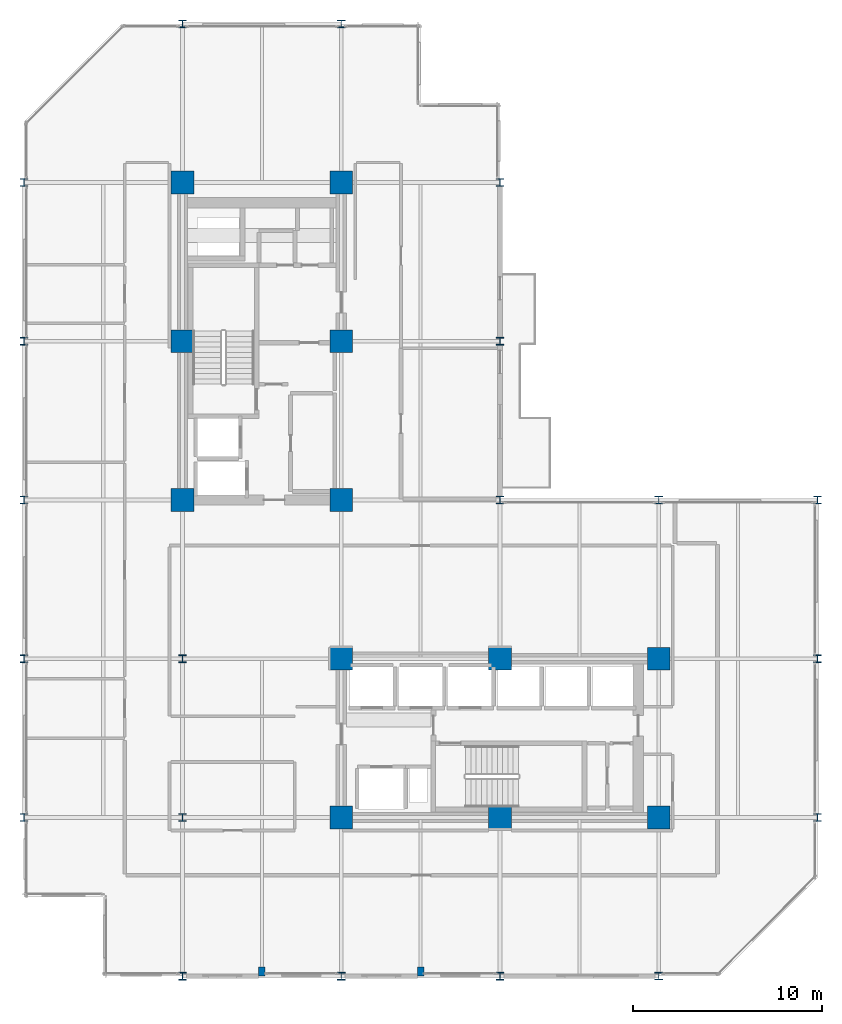
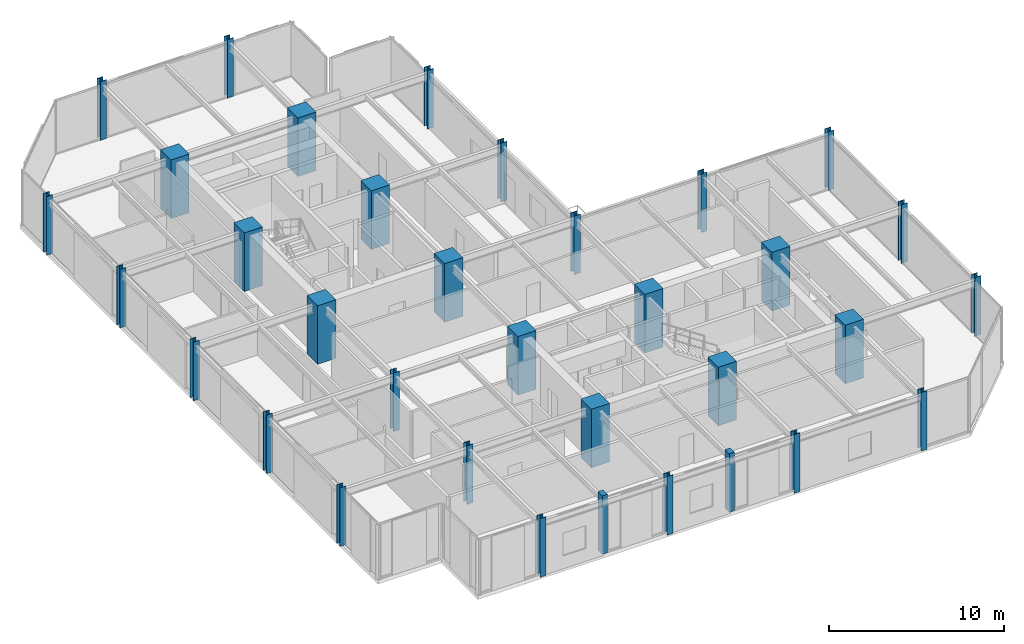
# One storey, part 1 of 29: 34 columns.
"""IFC4 building model written with IfcOpenShell, lengths in metres."""

from ifc_helpers import new_model, si_unit, direction, frame, origin, origin_2d, place, context, subcontext, project, spatial, rectangle, i_section, extrude, material, material_profile, profile_set, type_object, element, save


model = new_model("IFC4")

# Units and contexts
model_context = context("Model", 3, precision=1e-05, world=origin(), true_north=direction((0.0, 1.0)))
body_context = subcontext(model_context, "Body", "Model", "MODEL_VIEW")
ifc_project = project(units=[si_unit("LENGTHUNIT", "METRE"), si_unit("AREAUNIT", "SQUARE_METRE"), si_unit("VOLUMEUNIT", "CUBIC_METRE"), si_unit("PLANEANGLEUNIT", "RADIAN"), si_unit("MASSUNIT", "GRAM", prefix="KILO")], contexts=[model_context])

# Site, building, storey
site_placement = place(None, origin())
site = spatial("IfcSite", under=ifc_project, at=site_placement, CompositionType="ELEMENT")
building_placement = place(site_placement, origin())
building = spatial("IfcBuilding", under=site, at=building_placement, Name="Nerrivon Quay Data Exchange", CompositionType="ELEMENT")
storey_placement = place(building_placement, frame((0.0, 0.0, 133.60009765625)))
storey = spatial("IfcBuildingStorey", under=building, at=storey_placement, Name="L31", CompositionType="ELEMENT", Elevation=133.60009765625)

# Columns
ifc_material_1 = material(Name="Concrete S65 (65 MPa)", Category="concrete")
ifc_material_profile_1 = material_profile(ifc_material_1, rectangle(XDim=1.199951171875, YDim=1.199951171875, at=origin_2d()), Name="RC-COL-1200x1200")
ifc_profile_set_1 = profile_set([ifc_material_profile_1], Name="Concrete S65 (65 MPa)")
column_type_1 = type_object("IfcColumnType", Name="COL-C3-1200", PredefinedType="COLUMN", material=ifc_profile_set_1)
for number, where, z_axis, x_axis, name in (
    (1, (8.39990234375, 25.199951171875, 0.0), (0.0, 0.0, 1.0), (1.0, 0.0, 0.0), "L31 Column (8.4,25.2)"),
    (2, (8.39990234375, 33.60009765625, 0.0), (0.0, 0.0, 1.0), (1.0, 0.0, 0.0), "L31 Column (8.4,33.6)"),
    (3, (8.39990234375, 42.0, 0.0), (0.0, 0.0, 1.0), (1.0, 0.0, 0.0), "L31 Column (8.4,42.0)"),
    (4, (16.800048828125, 8.39990234375, 0.0), (0.0, 0.0, 1.0), (1.0, 0.0, 0.0), "L31 Column (16.8,8.4)"),
    (5, (16.800048828125, 16.800048828125, 0.0), (0.0, 0.0, 1.0), (1.0, 0.0, 0.0), "L31 Column (16.8,16.8)"),
    (6, (16.800048828125, 25.199951171875, 0.0), (0.0, 0.0, 1.0), (1.0, 0.0, 0.0), "L31 Column (16.8,25.2)"),
    (7, (16.800048828125, 33.60009765625, 0.0), (0.0, 0.0, 1.0), (1.0, 0.0, 0.0), "L31 Column (16.8,33.6)"),
    (8, (16.800048828125, 42.0, 0.0), (0.0, 0.0, 1.0), (1.0, 0.0, 0.0), "L31 Column (16.8,42.0)"),
    (9, (25.199951171875, 8.39990234375, 0.0), (0.0, 0.0, 1.0), (1.0, 0.0, 0.0), "L31 Column (25.2,8.4)"),
    (10, (25.199951171875, 16.800048828125, 0.0), (0.0, 0.0, 1.0), (1.0, 0.0, 0.0), "L31 Column (25.2,16.8)"),
    (11, (33.60009765625, 8.39990234375, 0.0), (0.0, 0.0, 1.0), (1.0, 0.0, 0.0), "L31 Column (33.6,8.4)"),
    (12, (33.60009765625, 16.800048828125, 0.0), (0.0, 0.0, 1.0), (1.0, 0.0, 0.0), "L31 Column (33.6,16.8)"),
):
    element("IfcColumn", number, at=place(storey_placement, frame(where, z_axis=z_axis, x_axis=x_axis)), inside=storey, type_object=column_type_1, Name=name, PredefinedType="COLUMN", context=body_context, shape_type="SweptSolid", body=[
        extrude(rectangle(XDim=1.199951171875, YDim=1.199951171875, at=origin_2d()), origin(), (0.0, 0.0, 1.0), 4.099853515625),
    ])
ifc_material_2 = material(Name="Steel Grade 350", Category="steel")
ifc_material_profile_2 = material_profile(ifc_material_2, i_section(OverallWidth=0.39990234375, OverallDepth=0.39990234375, WebThickness=0.02490234375, FlangeThickness=0.0400390625, at=origin_2d()), Name="400WC328")
ifc_profile_set_2 = profile_set([ifc_material_profile_2], Name="Steel Grade 350")
column_type_2 = type_object("IfcColumnType", Name="COL-SC2-400WC", PredefinedType="COLUMN", material=ifc_profile_set_2)
for number, where, z_axis, x_axis, name in (
    (13, (0.0, 8.39990234375, 0.0), (0.0, 0.0, 1.0), (1.0, 0.0, 0.0), "L31 Column (0.0,8.4)"),
    (14, (0.0, 16.800048828125, 0.0), (0.0, 0.0, 1.0), (1.0, 0.0, 0.0), "L31 Column (0.0,16.8)"),
    (15, (0.0, 25.199951171875, 0.0), (0.0, 0.0, 1.0), (1.0, 0.0, 0.0), "L31 Column (0.0,25.2)"),
    (16, (0.0, 33.60009765625, 0.0), (0.0, 0.0, 1.0), (1.0, 0.0, 0.0), "L31 Column (0.0,33.6)"),
    (17, (0.0, 42.0, 0.0), (0.0, 0.0, 1.0), (1.0, 0.0, 0.0), "L31 Column (0.0,42.0)"),
    (18, (8.39990234375, 0.0, 0.0), (0.0, 0.0, 1.0), (1.0, 0.0, 0.0), "L31 Column (8.4,0.0)"),
    (19, (8.39990234375, 8.39990234375, 0.0), (0.0, 0.0, 1.0), (1.0, 0.0, 0.0), "L31 Column (8.4,8.4)"),
    (20, (8.39990234375, 16.800048828125, 0.0), (0.0, 0.0, 1.0), (1.0, 0.0, 0.0), "L31 Column (8.4,16.8)"),
    (21, (8.39990234375, 50.39990234375, 0.0), (0.0, 0.0, 1.0), (1.0, 0.0, 0.0), "L31 Column (8.4,50.4)"),
    (22, (16.800048828125, 0.0, 0.0), (0.0, 0.0, 1.0), (1.0, 0.0, 0.0), "L31 Column (16.8,0.0)"),
    (23, (16.800048828125, 50.39990234375, 0.0), (0.0, 0.0, 1.0), (1.0, 0.0, 0.0), "L31 Column (16.8,50.4)"),
    (24, (25.199951171875, 0.0, 0.0), (0.0, 0.0, 1.0), (1.0, 0.0, 0.0), "L31 Column (25.2,0.0)"),
    (25, (25.199951171875, 25.199951171875, 0.0), (0.0, 0.0, 1.0), (1.0, 0.0, 0.0), "L31 Column (25.2,25.2)"),
    (26, (25.199951171875, 33.60009765625, 0.0), (0.0, 0.0, 1.0), (1.0, 0.0, 0.0), "L31 Column (25.2,33.6)"),
    (27, (25.199951171875, 42.0, 0.0), (0.0, 0.0, 1.0), (1.0, 0.0, 0.0), "L31 Column (25.2,42.0)"),
    (28, (33.60009765625, 0.0, 0.0), (0.0, 0.0, 1.0), (1.0, 0.0, 0.0), "L31 Column (33.6,0.0)"),
    (29, (33.60009765625, 25.199951171875, 0.0), (0.0, 0.0, 1.0), (1.0, 0.0, 0.0), "L31 Column (33.6,25.2)"),
    (30, (42.0, 8.39990234375, 0.0), (0.0, 0.0, 1.0), (1.0, 0.0, 0.0), "L31 Column (42.0,8.4)"),
    (31, (42.0, 16.800048828125, 0.0), (0.0, 0.0, 1.0), (1.0, 0.0, 0.0), "L31 Column (42.0,16.8)"),
    (32, (42.0, 25.199951171875, 0.0), (0.0, 0.0, 1.0), (1.0, 0.0, 0.0), "L31 Column (42.0,25.2)"),
):
    element("IfcColumn", number, at=place(storey_placement, frame(where, z_axis=z_axis, x_axis=x_axis)), inside=storey, type_object=column_type_2, Name=name, PredefinedType="COLUMN", context=body_context, shape_type="SweptSolid", body=[
        extrude(i_section(OverallWidth=0.39990234375, OverallDepth=0.39990234375, WebThickness=0.02490234375, FlangeThickness=0.0400390625, at=origin_2d()), origin(), (0.0, 0.0, 1.0), 4.099853515625),
    ])
ifc_material_3 = material(Name="Concrete N50 (50 MPa)", Category="concrete")
ifc_material_profile_3 = material_profile(ifc_material_3, rectangle(XDim=0.35009765625, YDim=0.5, at=origin_2d()), Name="RC-PIL-500x350")
ifc_profile_set_3 = profile_set([ifc_material_profile_3], Name="Concrete N50 (50 MPa)")
column_type_3 = type_object("IfcColumnType", Name="PIL-P2-500x350", PredefinedType="PILASTER", material=ifc_profile_set_3)
for number, where, z_axis, x_axis, name in (
    (33, (12.60009765625, 0.25, 0.0), (0.0, 0.0, 1.0), (1.0, 0.0, 0.0), "L31 Facade Pilaster (12.6)"),
    (34, (21.0, 0.25, 0.0), (0.0, 0.0, 1.0), (1.0, 0.0, 0.0), "L31 Facade Pilaster (21.0)"),
):
    element("IfcColumn", number, at=place(storey_placement, frame(where, z_axis=z_axis, x_axis=x_axis)), inside=storey, type_object=column_type_3, Name=name, PredefinedType="PILASTER", context=body_context, shape_type="SweptSolid", body=[
        extrude(rectangle(XDim=0.35009765625, YDim=0.5, at=origin_2d()), origin(), (0.0, 0.0, 1.0), 4.099853515625),
    ])

save(model, "model.ifc")
